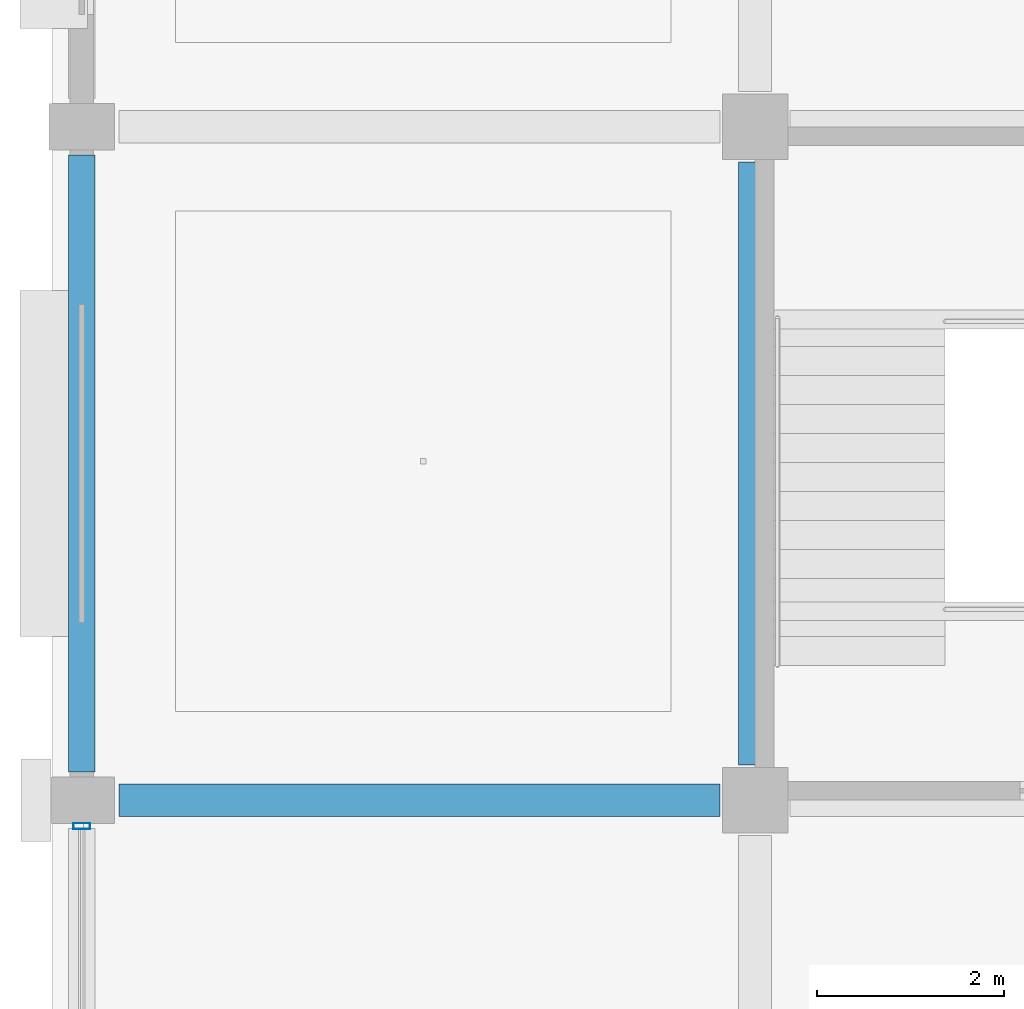
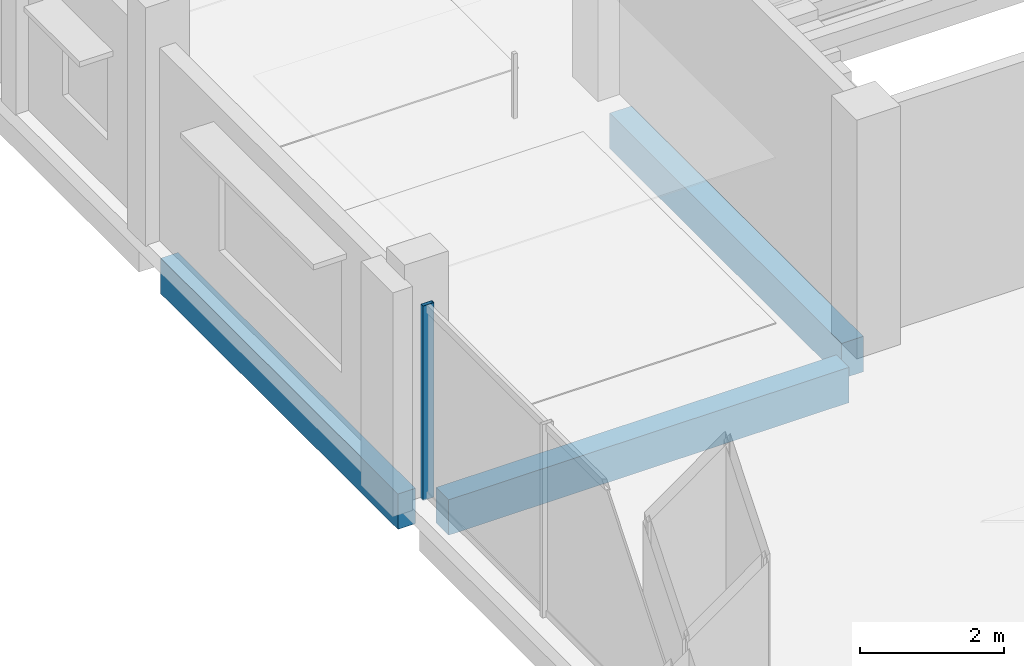
# One storey, part 15 of 77: 3 beams, 1 member, 1 element without a shape of its own.
"""IFC4 building model written with IfcOpenShell, lengths in metres."""

from ifc_helpers import new_model, si_unit, direction, frame, origin, origin_2d, place, context, subcontext, project, spatial, rectangle, hollow_rectangle, extrude, material, layer, layer_set, material_profile, profile_set, type_object, element, aggregate, save


model = new_model("IFC4")

# Units and contexts
model_context = context("Model", 3, precision=1e-05, world=origin(), true_north=direction((0.0, 1.0)))
body_context = subcontext(model_context, "Body", "Model", "MODEL_VIEW")
ifc_project = project(units=[si_unit("LENGTHUNIT", "METRE"), si_unit("AREAUNIT", "SQUARE_METRE"), si_unit("VOLUMEUNIT", "CUBIC_METRE"), si_unit("PLANEANGLEUNIT", "RADIAN"), si_unit("MASSUNIT", "GRAM", prefix="KILO")], contexts=[model_context])

# Site, building, storey
site_placement = place(None, origin())
site = spatial("IfcSite", under=ifc_project, at=site_placement, CompositionType="ELEMENT")
building_placement = place(site_placement, origin())
building = spatial("IfcBuilding", under=site, at=building_placement, Name="Kangsadwip Square Police Headquarters", CompositionType="ELEMENT")
storey_placement = place(building_placement, frame((0.0, 0.0, 17.550048828125)))
storey = spatial("IfcBuildingStorey", under=building, at=storey_placement, Name="L04", CompositionType="ELEMENT", Elevation=17.550048828125)

# Curtain wall, member
ifc_material_1 = material(Name="Thermally broken anodised aluminium AW-6063-T6", Category="aluminium")
ifc_layer = layer(ifc_material_1, 0.159912109375)
ifc_layer_set = layer_set([ifc_layer], Name="Thermally broken anodised aluminium AW-6063-T6")
curtain_wall_type = type_object("IfcCurtainWallType", Name="UnitisedCw6710x3300", PredefinedType="NOTDEFINED", material=ifc_layer_set)
curtain_wall_placement = place(storey_placement, origin())
curtain_wall = element("IfcCurtainWall", 1, at=curtain_wall_placement, inside=storey, type_object=curtain_wall_type, Name="Curtain Wall CW-L04-0000-0650", PredefinedType="NOTDEFINED")
ifc_material_2 = material(Name="Thermally broken anodised aluminium AW-6063-T6", Category="aluminium")
ifc_material_profile_1 = material_profile(ifc_material_2, hollow_rectangle(XDim=0.06494140625, YDim=0.179931640625, WallThickness=0.00390625, at=origin_2d()), Name="CWM 180X65X4")
ifc_profile_set_1 = profile_set([ifc_material_profile_1], Name="Thermally broken anodised aluminium AW-6063-T6")
member_type = type_object("IfcMemberType", Name="CwMullion160x65", PredefinedType="MULLION", material=ifc_profile_set_1)
member_placement = place(storey_placement, frame((0.0, 71.722412109375, 0.0), z_axis=(0.0, 0.0, 1.0), x_axis=(0.0, 1.0, 0.0)))
member = element("IfcMember", 2, at=member_placement, type_object=member_type, Name="CW-45 mullion 3", PredefinedType="MULLION", context=body_context, shape_type="SweptSolid", body=[
    extrude(hollow_rectangle(XDim=0.06494140625, YDim=0.179931640625, WallThickness=0.00390625, at=origin_2d()), origin(), (0.0, 0.0, 1.0), 3.300048828125),
])
aggregate(curtain_wall, [member])

# Beams
ifc_material_3 = material(Name="Concrete M35 (35 MPa)", Category="concrete")
ifc_material_profile_2 = material_profile(ifc_material_3, rectangle(XDim=0.35009765625, YDim=0.60009765625, at=origin_2d()), Name="RC BM 600X350")
ifc_profile_set_2 = profile_set([ifc_material_profile_2], Name="Concrete M35 (35 MPa)")
beam_type_1 = type_object("IfcBeamType", Name="RcBeam600x350", PredefinedType="BEAM", material=ifc_profile_set_2)
beam_1_placement = place(storey_placement, frame((0.39990234375, 72.0, -0.5400390625), z_axis=(1.0, 0.0, 0.0), x_axis=(0.0, 1.0, 0.0)))
element("IfcBeam", 3, at=beam_1_placement, inside=storey, type_object=beam_type_1, Name="Beam BM-L04-X-00-10", PredefinedType="BEAM", context=body_context, shape_type="SweptSolid", body=[
    extrude(rectangle(XDim=0.35009765625, YDim=0.60009765625, at=origin_2d()), origin(), (0.0, 0.0, 1.0), 6.425048828125),
])
beam_2_placement = place(storey_placement, frame((7.199951171875, 72.375, -0.5400390625), z_axis=(0.0, 1.0, 0.0), x_axis=(-1.0, 0.0, 0.0)))
element("IfcBeam", 4, at=beam_2_placement, inside=storey, type_object=beam_type_1, Name="Beam BM-L04-Y-01-10", PredefinedType="BEAM", context=body_context, shape_type="SweptSolid", body=[
    extrude(rectangle(XDim=0.35009765625, YDim=0.60009765625, at=origin_2d()), origin(), (0.0, 0.0, 1.0), 6.449951171875),
])
ifc_material_4 = material(Name="Concrete M40 (40 MPa)", Category="concrete")
ifc_material_profile_3 = material_profile(ifc_material_4, rectangle(XDim=0.280029296875, YDim=0.60009765625, at=origin_2d()), Name="RC SPN 600X280")
ifc_profile_set_3 = profile_set([ifc_material_profile_3], Name="Concrete M40 (40 MPa)")
beam_type_2 = type_object("IfcBeamType", Name="RcSpandrel600x280", PredefinedType="SPANDREL", material=ifc_profile_set_3)
beam_3_placement = place(storey_placement, frame((0.0, 72.300048828125, -0.5400390625), z_axis=(0.0, 1.0, 0.0), x_axis=(-1.0, 0.0, 0.0)))
element("IfcBeam", 5, at=beam_3_placement, inside=storey, type_object=beam_type_2, Name="Beam BM-L04-Y-00-10", PredefinedType="SPANDREL", context=body_context, shape_type="SweptSolid", body=[
    extrude(rectangle(XDim=0.280029296875, YDim=0.60009765625, at=origin_2d()), origin(), (0.0, 0.0, 1.0), 6.599853515625),
])

save(model, "model.ifc")
